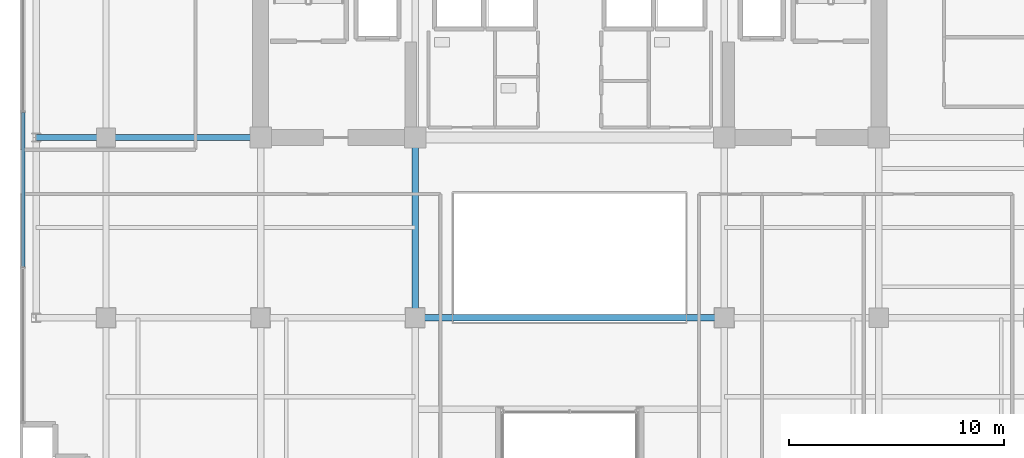
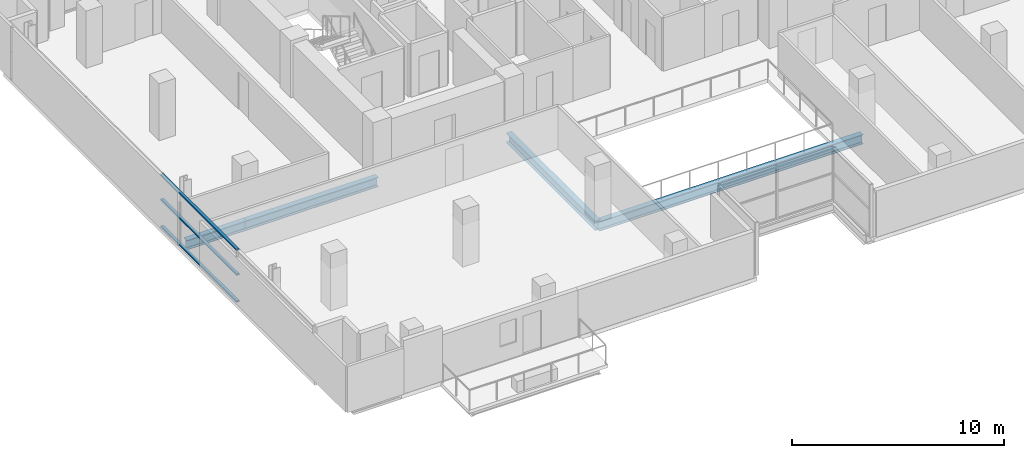
# One storey, part 8 of 24: 4 beams, 3 members, 1 element without a shape of its own.
"""IFC4 building model written with IfcOpenShell, lengths in metres."""

from ifc_helpers import new_model, si_unit, direction, frame, origin, origin_2d, place, context, subcontext, project, spatial, hollow_rectangle, i_section, extrude, source, transform, mapped, material, layer, layer_set, material_profile, profile_set, type_object, element, aggregate, save


model = new_model("IFC4")

# Units and contexts
model_context = context("Model", 3, precision=1e-05, world=origin(), true_north=direction((0.0, 1.0)))
body_context = subcontext(model_context, "Body", "Model", "MODEL_VIEW")
ifc_project = project(units=[si_unit("LENGTHUNIT", "METRE"), si_unit("AREAUNIT", "SQUARE_METRE"), si_unit("VOLUMEUNIT", "CUBIC_METRE"), si_unit("PLANEANGLEUNIT", "RADIAN"), si_unit("MASSUNIT", "GRAM", prefix="KILO")], contexts=[model_context])

# Site, building, storey
site_placement = place(None, origin())
site = spatial("IfcSite", under=ifc_project, at=site_placement, CompositionType="ELEMENT")
building_placement = place(site_placement, origin())
building = spatial("IfcBuilding", under=site, at=building_placement, Name="Zarnakvel Exchange Tower", CompositionType="ELEMENT")
storey_placement = place(building_placement, frame((0.0, 0.0, 133.0)))
storey = spatial("IfcBuildingStorey", under=building, at=storey_placement, Name="L37", CompositionType="ELEMENT", Elevation=133.0)

# Beams
ifc_material_1 = material(Name="Steel S355", Category="steel")
ifc_material_profile_1 = material_profile(ifc_material_1, i_section(OverallWidth=0.300048828125, OverallDepth=0.550048828125, WebThickness=0.014892578125, FlangeThickness=0.029052734375, FilletRadius=0.027099609375, at=origin_2d()))
ifc_profile_set_1 = profile_set([ifc_material_profile_1], Name="Steel S355")
beam_type = type_object("IfcBeamType", Name="G-05", PredefinedType="BEAM", material=ifc_profile_set_1)
beam_1_placement = place(storey_placement, frame((-7.199951171875, -9.60009765625, -0.5), z_axis=(1.0, 0.0, 0.0), x_axis=(0.0, 1.0, 0.0)))
element("IfcBeam", 1, at=beam_1_placement, inside=storey, type_object=beam_type, Name="L37 Tower E-W Frame Beam", PredefinedType="BEAM", context=body_context, shape_type="SweptSolid", body=[
    extrude(i_section(OverallWidth=0.300048828125, OverallDepth=0.550048828125, WebThickness=0.014892578125, FlangeThickness=0.029052734375, FilletRadius=0.027099609375, at=origin_2d()), origin(), (0.0, 0.0, 1.0), 14.39990234375),
])
beam_2_placement = place(storey_placement, frame((-24.85009765625, -1.199951171875, -0.5), z_axis=(1.0, 0.0, 0.0), x_axis=(0.0, 1.0, 0.0)))
element("IfcBeam", 2, at=beam_2_placement, inside=storey, type_object=beam_type, Name="L37 Tower E-W Frame Beam", PredefinedType="BEAM", context=body_context, shape_type="SweptSolid", body=[
    extrude(i_section(OverallWidth=0.300048828125, OverallDepth=0.550048828125, WebThickness=0.014892578125, FlangeThickness=0.029052734375, FilletRadius=0.027099609375, at=origin_2d()), origin(), (0.0, 0.0, 1.0), 3.25),
])
beam_3_placement = place(storey_placement, frame((-21.60009765625, -1.199951171875, -0.5), z_axis=(1.0, 0.0, 0.0), x_axis=(0.0, 1.0, 0.0)))
element("IfcBeam", 3, at=beam_3_placement, inside=storey, type_object=beam_type, Name="L37 Tower E-W Frame Beam", PredefinedType="BEAM", context=body_context, shape_type="SweptSolid", body=[
    extrude(i_section(OverallWidth=0.300048828125, OverallDepth=0.550048828125, WebThickness=0.014892578125, FlangeThickness=0.029052734375, FilletRadius=0.027099609375, at=origin_2d()), origin(), (0.0, 0.0, 1.0), 7.2001953125),
])
beam_4_placement = place(storey_placement, frame((-7.199951171875, -9.60009765625, -0.5), z_axis=(0.0, 1.0, 0.0), x_axis=(-1.0, 0.0, 0.0)))
element("IfcBeam", 4, at=beam_4_placement, inside=storey, type_object=beam_type, Name="L37 Tower N-S Frame Beam", PredefinedType="BEAM", context=body_context, shape_type="SweptSolid", body=[
    extrude(i_section(OverallWidth=0.300048828125, OverallDepth=0.550048828125, WebThickness=0.014892578125, FlangeThickness=0.029052734375, FilletRadius=0.027099609375, at=origin_2d()), origin(), (0.0, 0.0, 1.0), 8.400146484375),
])

# Curtain wall, members
ifc_material_2 = material(Name="Architectural Bronze Anodised Aluminium", Category="aluminium")
ifc_layer = layer(ifc_material_2, 0.199951171875)
ifc_layer_set = layer_set([ifc_layer], Name="Architectural Bronze Anodised Aluminium")
curtain_wall_type = type_object("IfcCurtainWallType", Name="CW-04", PredefinedType="NOTDEFINED", material=ifc_layer_set)
curtain_wall_placement = place(storey_placement, origin())
curtain_wall = element("IfcCurtainWall", 5, at=curtain_wall_placement, inside=storey, type_object=curtain_wall_type, Name="L37 Curtain Wall CW-L37-W1 (CW-04)", PredefinedType="NOTDEFINED")
ifc_material_profile_2 = material_profile(ifc_material_2, hollow_rectangle(XDim=0.159912109375, YDim=0.074951171875, WallThickness=0.00390625, at=origin_2d()))
ifc_profile_set_2 = profile_set([ifc_material_profile_2], Name="Architectural Bronze Anodised Aluminium")
member_type = type_object("IfcMemberType", Name="CWT-04", PredefinedType="USERDEFINED", material=ifc_profile_set_2)
shared_shape = source(origin(), body_context, "Body", "SweptSolid", [
    extrude(hollow_rectangle(XDim=0.159912109375, YDim=0.074951171875, WallThickness=0.00390625, at=origin_2d()), origin(), (0.0, 0.0, 1.0), 7.1748046875),
])
member_1_placement = place(storey_placement, frame((-25.4599609375, -7.21240234375, 0.03759765625), z_axis=(0.0, 1.0, 0.0), x_axis=(-1.0, 0.0, 0.0)))
member_1 = element("IfcMember", 6, at=member_1_placement, type_object=member_type, Name="CW-04 transom 2.1", ObjectType="TRANSOM", PredefinedType="USERDEFINED", context=body_context, shape_type="MappedRepresentation", body=[
    mapped(shared_shape, transform((0.0, 0.0, 0.0), x_axis=(1.0, 0.0, 0.0), y_axis=(0.0, 1.0, 0.0), z_axis=(0.0, 0.0, 1.0), scale=1.0)),
])
member_2_placement = place(storey_placement, frame((-25.4599609375, -7.21240234375, 1.588623046875), z_axis=(0.0, 1.0, 0.0), x_axis=(-1.0, 0.0, 0.0)))
member_2 = element("IfcMember", 7, at=member_2_placement, type_object=member_type, Name="CW-04 transom 2.2", ObjectType="TRANSOM", PredefinedType="USERDEFINED", context=body_context, shape_type="MappedRepresentation", body=[
    mapped(shared_shape, transform((0.0, 0.0, 0.0), x_axis=(1.0, 0.0, 0.0), y_axis=(0.0, 1.0, 0.0), z_axis=(0.0, 0.0, 1.0), scale=1.0)),
])
member_3_placement = place(storey_placement, frame((-25.4599609375, -7.21240234375, 3.017578125), z_axis=(0.0, 1.0, 0.0), x_axis=(-1.0, 0.0, 0.0)))
member_3 = element("IfcMember", 8, at=member_3_placement, type_object=member_type, Name="CW-04 transom 2.3", ObjectType="TRANSOM", PredefinedType="USERDEFINED", context=body_context, shape_type="MappedRepresentation", body=[
    mapped(shared_shape, transform((0.0, 0.0, 0.0), x_axis=(1.0, 0.0, 0.0), y_axis=(0.0, 1.0, 0.0), z_axis=(0.0, 0.0, 1.0), scale=1.0)),
])
aggregate(curtain_wall, [member_1, member_2, member_3])

save(model, "model.ifc")
